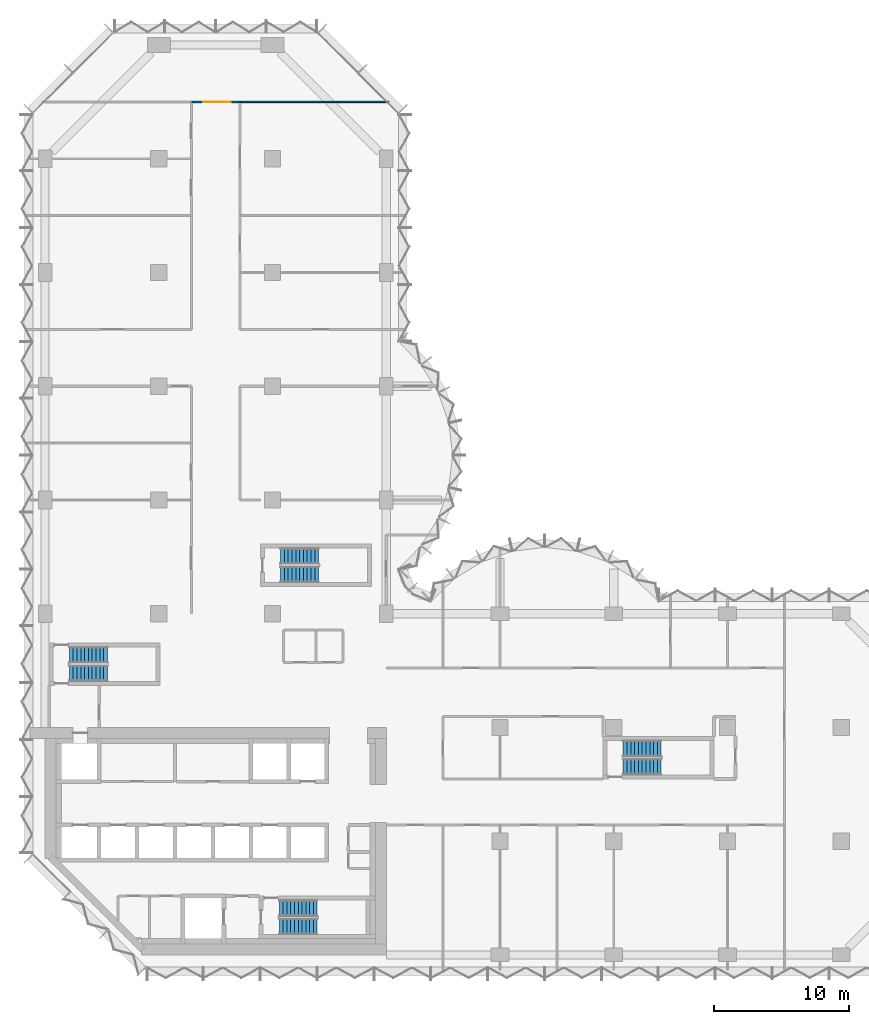
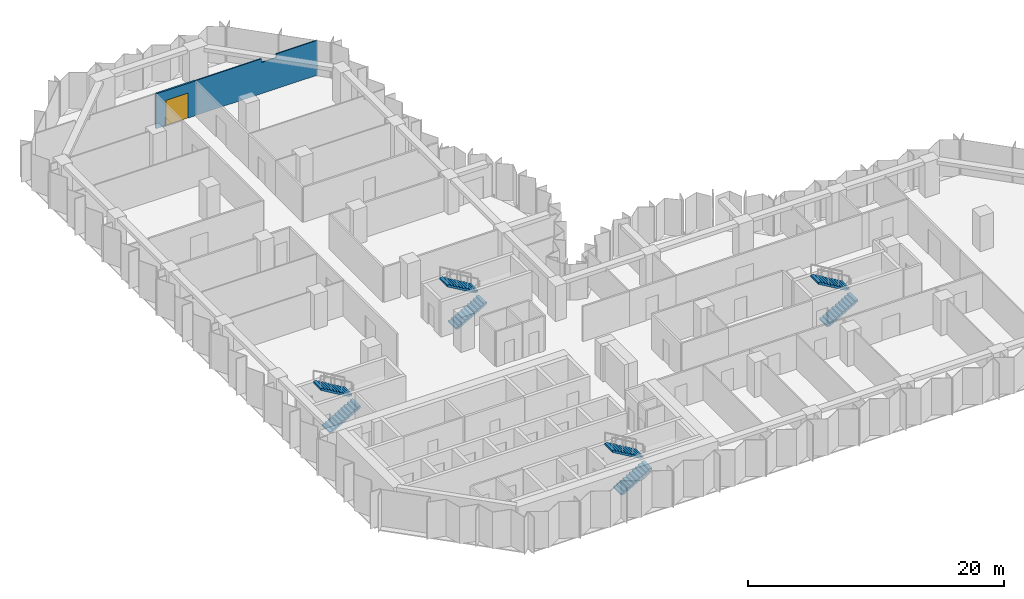
# One storey, part 11 of 13: 8 stair flights, 2 walls, 1 door, 1 opening, 4 elements without a shape of their own.
"""IFC4 building model written with IfcOpenShell, lengths in metres."""

from ifc_helpers import new_model, si_unit, direction, frame, frame_2d, origin, place, context, subcontext, project, spatial, polyline, rectangle, outline, extrude, material, layer, layer_set, type_object, element, fill, aggregate, save


model = new_model("IFC4")

# Units and contexts
model_context = context("Model", 3, precision=1e-05, world=origin(), true_north=direction((0.0, 1.0)))
body_context = subcontext(model_context, "Body", "Model", "MODEL_VIEW")
ifc_project = project(units=[si_unit("LENGTHUNIT", "METRE"), si_unit("AREAUNIT", "SQUARE_METRE"), si_unit("VOLUMEUNIT", "CUBIC_METRE"), si_unit("PLANEANGLEUNIT", "RADIAN"), si_unit("MASSUNIT", "GRAM", prefix="KILO")], contexts=[model_context])

# Site, building, storey
site_placement = place(None, origin())
site = spatial("IfcSite", under=ifc_project, at=site_placement, CompositionType="ELEMENT")
building_placement = place(site_placement, origin())
building = spatial("IfcBuilding", under=site, at=building_placement, Name="Brevane Broadcast Tower", CompositionType="ELEMENT")
storey_placement = place(building_placement, frame((0.0, 0.0, 127.699951171875)))
storey = spatial("IfcBuildingStorey", under=building, at=storey_placement, Name="L31", CompositionType="ELEMENT", Elevation=127.699951171875)

# Wall
ifc_material_1 = material(Name="Gypsum board partition")
ifc_layer_1 = layer(ifc_material_1, 0.10009765625)
ifc_layer_set_1 = layer_set([ifc_layer_1], Name="PARTITION 100 STUD")
wall_type_1 = type_object("IfcWallType", Name="PARTITION 100 STUD", PredefinedType="PARTITIONING", material=ifc_layer_set_1)
wall_1_placement = place(storey_placement, frame((25.39990234375, 63.0, 0.0), z_axis=(0.0, 0.0, 1.0), x_axis=(-1.0, 0.0, 0.0)))
element("IfcWall", 1, at=wall_1_placement, inside=storey, type_object=wall_type_1, Name="Partition G09-062", PredefinedType="PARTITIONING", context=body_context, shape_type="SweptSolid", body=[
    extrude(outline(polyline([(0.0, 0.0), (11.0, 0.0), (11.0, 3.330078125), (5.065673828125, 3.330078125), (5.063720703125, 2.97998046875), (3.736328125, 2.97998046875), (3.734375, 3.330078125), (0.0, 3.330078125), (0.0, 0.0)])), frame((0.0, 0.050048828125, 0.0), z_axis=(0.0, -1.0, 0.0), x_axis=(1.0, 0.0, 0.0)), (0.0, 0.0, 1.0), 0.10009765625),
])

# Wall, opening, door
ifc_layer_2 = layer(ifc_material_1, 0.14990234375)
ifc_layer_set_2 = layer_set([ifc_layer_2], Name="PARTITION 150 EI 60")
wall_type_2 = type_object("IfcWallType", Name="PARTITION 150 EI 60", PredefinedType="PARTITIONING", material=ifc_layer_set_2)
wall_2_placement = place(storey_placement, frame((10.800048828125, 63.0, 0.0), z_axis=(0.0, 0.0, 1.0), x_axis=(1.0, 0.0, 0.0)))
wall_2 = element("IfcWall", 2, at=wall_2_placement, inside=storey, type_object=wall_type_2, Name="Partition G09-051", PredefinedType="PARTITIONING", context=body_context, shape_type="SweptSolid", body=[
    extrude(rectangle(XDim=3.599853515625, YDim=0.14990234375, at=frame_2d((1.7998046875, 0.0))), origin(), (0.0, 0.0, 1.0), 3.330078125),
])
opening_placement = place(wall_2_placement, frame((0.89990234375, 0.0, 0.0)))
opening = element("IfcOpeningElement", 3, at=opening_placement, cuts=wall_2, Name="Opening D16-016", PredefinedType="OPENING", context=body_context, shape_type="SweptSolid", body=[
    extrude(rectangle(XDim=2.0, YDim=2.39990234375, at=frame_2d((1.0, 1.199951171875))), frame((0.0, 0.0849609375, 0.0), z_axis=(0.0, -1.0, 0.0), x_axis=(1.0, 0.0, 0.0)), (0.0, 0.0, 1.0), 0.169921875),
])
ifc_material_2 = material(Name="Fire-rated timber door leaf", Category="wood")
door_type = type_object("IfcDoorType", Name="DOOR DOUBLE 2000 FD30S", OperationType="DOUBLE_DOOR_SINGLE_SWING", PredefinedType="DOOR", material=ifc_material_2)
door_placement = place(opening_placement, origin())
door = element("IfcDoor", 4, at=door_placement, inside=storey, type_object=door_type, Name="Door D16-016", OperationType="DOUBLE_DOOR_SINGLE_SWING", OverallHeight=2.39990234375, OverallWidth=2.0, PredefinedType="DOOR", context=body_context, shape_type="SweptSolid", body=[
    extrude(rectangle(XDim=2.0, YDim=2.39990234375, at=frame_2d((1.0, 1.199951171875))), frame((0.0, 0.02490234375, 0.0), z_axis=(0.0, -1.0, 0.0), x_axis=(1.0, 0.0, 0.0)), (0.0, 0.0, 1.0), 0.050048828125),
])
fill(opening, door)

# Stair, stair flights
ifc_material_3 = material(Name="Concrete C50/60", Category="concrete")
stair_type = type_object("IfcStairType", Name="Exit stair 22 risers", PredefinedType="HALF_TURN_STAIR", material=ifc_material_3)
stair_1_placement = place(storey_placement, origin())
stair_1 = element("IfcStair", 5, at=stair_1_placement, inside=storey, type_object=stair_type, Name="L31 Exit stair ST-1", PredefinedType="HALF_TURN_STAIR")
stair_flight_type = type_object("IfcStairFlightType", Name="Exit stair flight 22 risers", PredefinedType="STRAIGHT", material=ifc_material_3)
stair_flight_1_placement = place(storey_placement, frame((1.800048828125, 20.800048828125, 0.0), z_axis=(0.0, 0.0, 1.0), x_axis=(1.0, 0.0, 0.0)))
stair_flight_1 = element("IfcStairFlight", 6, at=stair_flight_1_placement, type_object=stair_flight_type, Name="ST-1 flight 1", NumberOfRisers=11, NumberOfTreads=10, PredefinedType="STRAIGHT", RiserHeight=0.163636364, TreadLength=0.28, context=body_context, shape_type="SweptSolid", body=[
    extrude(outline(polyline([(0.0, 0.0), (0.0, 0.16357421875), (0.280029296875, 0.16357421875), (0.280029296875, 0.327392578125), (0.56005859375, 0.327392578125), (0.56005859375, 0.490966796875), (0.840087890625, 0.490966796875), (0.840087890625, 0.654541015625), (1.1201171875, 0.654541015625), (1.1201171875, 0.818115234375), (1.39990234375, 0.818115234375), (1.39990234375, 0.98193359375), (1.679931640625, 0.98193359375), (1.679931640625, 1.1455078125), (1.9599609375, 1.1455078125), (1.9599609375, 1.30908203125), (2.239990234375, 1.30908203125), (2.239990234375, 1.47265625), (2.52001953125, 1.47265625), (2.52001953125, 1.636474609375), (2.800048828125, 1.636474609375), (2.800048828125, 1.800048828125), (2.800048828125, 1.462646484375), (0.297119140625, 0.0), (0.0, 0.0)])), frame((0.0, 0.60009765625, 0.0), z_axis=(0.0, -1.0, 0.0), x_axis=(1.0, 0.0, 0.0)), (0.0, 0.0, 1.0), 1.199951171875),
])
stair_flight_2_placement = place(storey_placement, frame((4.60009765625, 22.14990234375, 1.800048828125), z_axis=(0.0, 0.0, 1.0), x_axis=(-1.0, 0.0, 0.0)))
stair_flight_2 = element("IfcStairFlight", 7, at=stair_flight_2_placement, type_object=stair_flight_type, Name="ST-1 flight 2", NumberOfRisers=11, NumberOfTreads=10, PredefinedType="STRAIGHT", RiserHeight=0.163636364, TreadLength=0.28, context=body_context, shape_type="SweptSolid", body=[
    extrude(outline(polyline([(0.0, 0.0), (0.0, 0.16357421875), (0.280029296875, 0.16357421875), (0.280029296875, 0.327392578125), (0.56005859375, 0.327392578125), (0.56005859375, 0.490966796875), (0.840087890625, 0.490966796875), (0.840087890625, 0.654541015625), (1.1201171875, 0.654541015625), (1.1201171875, 0.818115234375), (1.39990234375, 0.818115234375), (1.39990234375, 0.98193359375), (1.679931640625, 0.98193359375), (1.679931640625, 1.1455078125), (1.9599609375, 1.1455078125), (1.9599609375, 1.30908203125), (2.239990234375, 1.30908203125), (2.239990234375, 1.47265625), (2.52001953125, 1.47265625), (2.52001953125, 1.636474609375), (2.800048828125, 1.636474609375), (2.800048828125, 1.800048828125), (2.800048828125, 1.462646484375), (0.297119140625, 0.0), (0.0, 0.0)])), frame((0.0, 0.60009765625, 0.0), z_axis=(0.0, -1.0, 0.0), x_axis=(1.0, 0.0, 0.0)), (0.0, 0.0, 1.0), 1.199951171875),
])
aggregate(stair_1, [stair_flight_1, stair_flight_2])

stair_2_placement = place(storey_placement, origin())
stair_2 = element("IfcStair", 8, at=stair_2_placement, inside=storey, type_object=stair_type, Name="L31 Exit stair ST-2", PredefinedType="HALF_TURN_STAIR")
stair_flight_3_placement = place(storey_placement, frame((17.300048828125, 2.10009765625, 0.0), z_axis=(0.0, 0.0, 1.0), x_axis=(1.0, 0.0, 0.0)))
stair_flight_3 = element("IfcStairFlight", 9, at=stair_flight_3_placement, type_object=stair_flight_type, Name="ST-2 flight 1", NumberOfRisers=11, NumberOfTreads=10, PredefinedType="STRAIGHT", RiserHeight=0.163636364, TreadLength=0.28, context=body_context, shape_type="SweptSolid", body=[
    extrude(outline(polyline([(0.0, 0.0), (0.0, 0.16357421875), (0.280029296875, 0.16357421875), (0.280029296875, 0.327392578125), (0.56005859375, 0.327392578125), (0.56005859375, 0.490966796875), (0.840087890625, 0.490966796875), (0.840087890625, 0.654541015625), (1.1201171875, 0.654541015625), (1.1201171875, 0.818115234375), (1.39990234375, 0.818115234375), (1.39990234375, 0.98193359375), (1.679931640625, 0.98193359375), (1.679931640625, 1.1455078125), (1.9599609375, 1.1455078125), (1.9599609375, 1.30908203125), (2.239990234375, 1.30908203125), (2.239990234375, 1.47265625), (2.52001953125, 1.47265625), (2.52001953125, 1.636474609375), (2.800048828125, 1.636474609375), (2.800048828125, 1.800048828125), (2.800048828125, 1.462646484375), (0.297119140625, 0.0), (0.0, 0.0)])), frame((0.0, 0.60009765625, 0.0), z_axis=(0.0, -1.0, 0.0), x_axis=(1.0, 0.0, 0.0)), (0.0, 0.0, 1.0), 1.199951171875),
])
stair_flight_4_placement = place(storey_placement, frame((20.10009765625, 3.449951171875, 1.800048828125), z_axis=(0.0, 0.0, 1.0), x_axis=(-1.0, 0.0, 0.0)))
stair_flight_4 = element("IfcStairFlight", 10, at=stair_flight_4_placement, type_object=stair_flight_type, Name="ST-2 flight 2", NumberOfRisers=11, NumberOfTreads=10, PredefinedType="STRAIGHT", RiserHeight=0.163636364, TreadLength=0.28, context=body_context, shape_type="SweptSolid", body=[
    extrude(outline(polyline([(0.0, 0.0), (0.0, 0.16357421875), (0.280029296875, 0.16357421875), (0.280029296875, 0.327392578125), (0.56005859375, 0.327392578125), (0.56005859375, 0.490966796875), (0.840087890625, 0.490966796875), (0.840087890625, 0.654541015625), (1.1201171875, 0.654541015625), (1.1201171875, 0.818115234375), (1.39990234375, 0.818115234375), (1.39990234375, 0.98193359375), (1.679931640625, 0.98193359375), (1.679931640625, 1.1455078125), (1.9599609375, 1.1455078125), (1.9599609375, 1.30908203125), (2.239990234375, 1.30908203125), (2.239990234375, 1.47265625), (2.52001953125, 1.47265625), (2.52001953125, 1.636474609375), (2.800048828125, 1.636474609375), (2.800048828125, 1.800048828125), (2.800048828125, 1.462646484375), (0.297119140625, 0.0), (0.0, 0.0)])), frame((0.0, 0.60009765625, 0.0), z_axis=(0.0, -1.0, 0.0), x_axis=(1.0, 0.0, 0.0)), (0.0, 0.0, 1.0), 1.199951171875),
])
aggregate(stair_2, [stair_flight_3, stair_flight_4])

stair_3_placement = place(storey_placement, origin())
stair_3 = element("IfcStair", 11, at=stair_3_placement, inside=storey, type_object=stair_type, Name="L31 Exit stair ST-3", PredefinedType="HALF_TURN_STAIR")
stair_flight_5_placement = place(storey_placement, frame((17.39990234375, 28.10009765625, 0.0), z_axis=(0.0, 0.0, 1.0), x_axis=(1.0, 0.0, 0.0)))
stair_flight_5 = element("IfcStairFlight", 12, at=stair_flight_5_placement, type_object=stair_flight_type, Name="ST-3 flight 1", NumberOfRisers=11, NumberOfTreads=10, PredefinedType="STRAIGHT", RiserHeight=0.163636364, TreadLength=0.28, context=body_context, shape_type="SweptSolid", body=[
    extrude(outline(polyline([(0.0, 0.0), (0.0, 0.16357421875), (0.280029296875, 0.16357421875), (0.280029296875, 0.327392578125), (0.56005859375, 0.327392578125), (0.56005859375, 0.490966796875), (0.840087890625, 0.490966796875), (0.840087890625, 0.654541015625), (1.1201171875, 0.654541015625), (1.1201171875, 0.818115234375), (1.39990234375, 0.818115234375), (1.39990234375, 0.98193359375), (1.679931640625, 0.98193359375), (1.679931640625, 1.1455078125), (1.9599609375, 1.1455078125), (1.9599609375, 1.30908203125), (2.239990234375, 1.30908203125), (2.239990234375, 1.47265625), (2.52001953125, 1.47265625), (2.52001953125, 1.636474609375), (2.800048828125, 1.636474609375), (2.800048828125, 1.800048828125), (2.800048828125, 1.462646484375), (0.297119140625, 0.0), (0.0, 0.0)])), frame((0.0, 0.60009765625, 0.0), z_axis=(0.0, -1.0, 0.0), x_axis=(1.0, 0.0, 0.0)), (0.0, 0.0, 1.0), 1.199951171875),
])
stair_flight_6_placement = place(storey_placement, frame((20.199951171875, 29.449951171875, 1.800048828125), z_axis=(0.0, 0.0, 1.0), x_axis=(-1.0, 0.0, 0.0)))
stair_flight_6 = element("IfcStairFlight", 13, at=stair_flight_6_placement, type_object=stair_flight_type, Name="ST-3 flight 2", NumberOfRisers=11, NumberOfTreads=10, PredefinedType="STRAIGHT", RiserHeight=0.163636364, TreadLength=0.28, context=body_context, shape_type="SweptSolid", body=[
    extrude(outline(polyline([(0.0, 0.0), (0.0, 0.16357421875), (0.280029296875, 0.16357421875), (0.280029296875, 0.327392578125), (0.56005859375, 0.327392578125), (0.56005859375, 0.490966796875), (0.840087890625, 0.490966796875), (0.840087890625, 0.654541015625), (1.1201171875, 0.654541015625), (1.1201171875, 0.818115234375), (1.39990234375, 0.818115234375), (1.39990234375, 0.98193359375), (1.679931640625, 0.98193359375), (1.679931640625, 1.1455078125), (1.9599609375, 1.1455078125), (1.9599609375, 1.30908203125), (2.239990234375, 1.30908203125), (2.239990234375, 1.47265625), (2.52001953125, 1.47265625), (2.52001953125, 1.636474609375), (2.800048828125, 1.636474609375), (2.800048828125, 1.800048828125), (2.800048828125, 1.462646484375), (0.297119140625, 0.0), (0.0, 0.0)])), frame((0.0, 0.60009765625, 0.0), z_axis=(0.0, -1.0, 0.0), x_axis=(1.0, 0.0, 0.0)), (0.0, 0.0, 1.0), 1.199951171875),
])
aggregate(stair_3, [stair_flight_5, stair_flight_6])

stair_4_placement = place(storey_placement, origin())
stair_4 = element("IfcStair", 14, at=stair_4_placement, inside=storey, type_object=stair_type, Name="L31 Exit stair ST-4", PredefinedType="HALF_TURN_STAIR")
stair_flight_7_placement = place(storey_placement, frame((42.699951171875, 13.89990234375, 0.0), z_axis=(0.0, 0.0, 1.0), x_axis=(1.0, 0.0, 0.0)))
stair_flight_7 = element("IfcStairFlight", 15, at=stair_flight_7_placement, type_object=stair_flight_type, Name="ST-4 flight 1", NumberOfRisers=11, NumberOfTreads=10, PredefinedType="STRAIGHT", RiserHeight=0.163636364, TreadLength=0.28, context=body_context, shape_type="SweptSolid", body=[
    extrude(outline(polyline([(0.0, 0.0), (0.0, 0.16357421875), (0.280029296875, 0.16357421875), (0.280029296875, 0.327392578125), (0.56005859375, 0.327392578125), (0.56005859375, 0.490966796875), (0.840087890625, 0.490966796875), (0.840087890625, 0.654541015625), (1.1201171875, 0.654541015625), (1.1201171875, 0.818115234375), (1.39990234375, 0.818115234375), (1.39990234375, 0.98193359375), (1.679931640625, 0.98193359375), (1.679931640625, 1.1455078125), (1.9599609375, 1.1455078125), (1.9599609375, 1.30908203125), (2.239990234375, 1.30908203125), (2.239990234375, 1.47265625), (2.52001953125, 1.47265625), (2.52001953125, 1.636474609375), (2.800048828125, 1.636474609375), (2.800048828125, 1.800048828125), (2.800048828125, 1.462646484375), (0.297119140625, 0.0), (0.0, 0.0)])), frame((0.0, 0.60009765625, 0.0), z_axis=(0.0, -1.0, 0.0), x_axis=(1.0, 0.0, 0.0)), (0.0, 0.0, 1.0), 1.199951171875),
])
stair_flight_8_placement = place(storey_placement, frame((45.5, 15.25, 1.800048828125), z_axis=(0.0, 0.0, 1.0), x_axis=(-1.0, 0.0, 0.0)))
stair_flight_8 = element("IfcStairFlight", 16, at=stair_flight_8_placement, type_object=stair_flight_type, Name="ST-4 flight 2", NumberOfRisers=11, NumberOfTreads=10, PredefinedType="STRAIGHT", RiserHeight=0.163636364, TreadLength=0.28, context=body_context, shape_type="SweptSolid", body=[
    extrude(outline(polyline([(0.0, 0.0), (0.0, 0.16357421875), (0.280029296875, 0.16357421875), (0.280029296875, 0.327392578125), (0.56005859375, 0.327392578125), (0.56005859375, 0.490966796875), (0.840087890625, 0.490966796875), (0.840087890625, 0.654541015625), (1.1201171875, 0.654541015625), (1.1201171875, 0.818115234375), (1.39990234375, 0.818115234375), (1.39990234375, 0.98193359375), (1.679931640625, 0.98193359375), (1.679931640625, 1.1455078125), (1.9599609375, 1.1455078125), (1.9599609375, 1.30908203125), (2.239990234375, 1.30908203125), (2.239990234375, 1.47265625), (2.52001953125, 1.47265625), (2.52001953125, 1.636474609375), (2.800048828125, 1.636474609375), (2.800048828125, 1.800048828125), (2.800048828125, 1.462646484375), (0.297119140625, 0.0), (0.0, 0.0)])), frame((0.0, 0.60009765625, 0.0), z_axis=(0.0, -1.0, 0.0), x_axis=(1.0, 0.0, 0.0)), (0.0, 0.0, 1.0), 1.199951171875),
])
aggregate(stair_4, [stair_flight_7, stair_flight_8])

save(model, "model.ifc")
